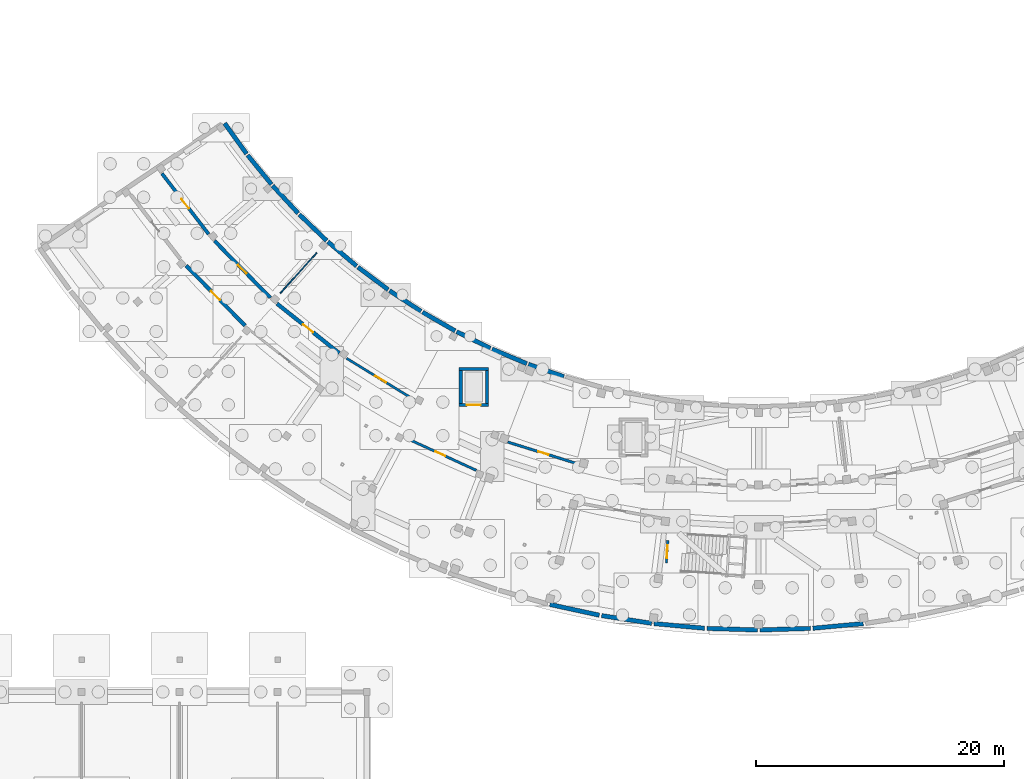
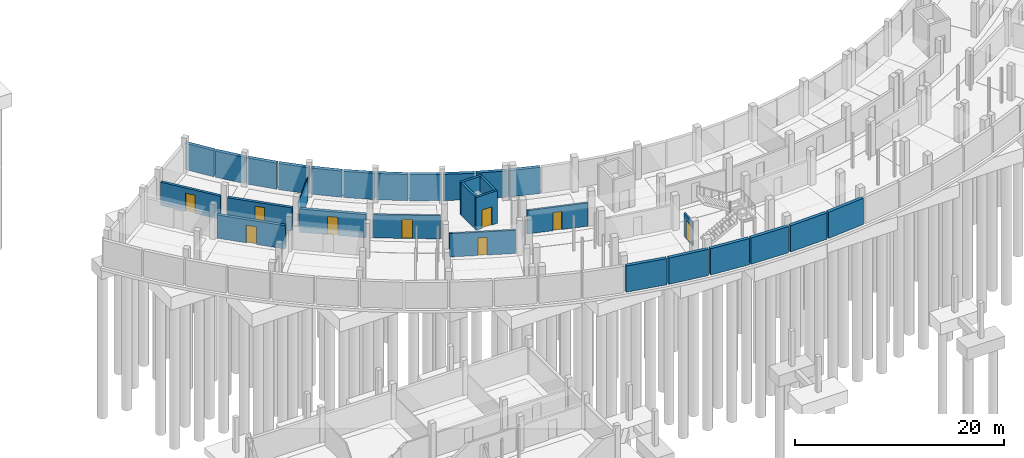
# One storey, part 40 of 58: 30 walls, 9 doors, 9 openings.
"""IFC4 building model written with IfcOpenShell, lengths in metres."""

from ifc_helpers import new_model, si_unit, direction, frame, frame_2d, origin, place, context, subcontext, project, spatial, rectangle, extrude, material, layer, layer_set, type_object, element, fill, save


model = new_model("IFC4")

# Units and contexts
model_context = context("Model", 3, precision=1e-05, world=origin(), true_north=direction((0.0, 1.0)))
body_context = subcontext(model_context, "Body", "Model", "MODEL_VIEW")
ifc_project = project(units=[si_unit("LENGTHUNIT", "METRE"), si_unit("AREAUNIT", "SQUARE_METRE"), si_unit("VOLUMEUNIT", "CUBIC_METRE"), si_unit("PLANEANGLEUNIT", "RADIAN"), si_unit("MASSUNIT", "GRAM", prefix="KILO")], contexts=[model_context])

# Site, building, storey
site_placement = place(None, origin())
site = spatial("IfcSite", under=ifc_project, at=site_placement, CompositionType="ELEMENT")
building_placement = place(site_placement, origin())
building = spatial("IfcBuilding", under=site, at=building_placement, Name="Caldaven Crescent School", CompositionType="ELEMENT")
storey_placement = place(building_placement, frame((0.0, 0.0, -4.080078125)))
storey = spatial("IfcBuildingStorey", under=building, at=storey_placement, Name="B1", CompositionType="ELEMENT", Elevation=-4.080078125)

# Wall
ifc_material_1 = material(Name="Concrete C35/45", Category="concrete")
ifc_layer_1 = layer(ifc_material_1, 0.300048828125)
ifc_layer_set_1 = layer_set([ifc_layer_1], Name="Concrete C35/45")
wall_type_1 = type_object("IfcWallType", Name="WAL-CW1", PredefinedType="SHEAR", material=ifc_layer_set_1)
wall_1_placement = place(storey_placement, frame((63.85107421875, 47.0380859375, 0.0), z_axis=(0.0, 0.0, 1.0), x_axis=(1.0, 0.0, 0.0)))
element("IfcWall", 1, at=wall_1_placement, inside=storey, type_object=wall_type_1, Name="CW-LF4-B1-N", PredefinedType="SHEAR", context=body_context, shape_type="SweptSolid", body=[
    extrude(rectangle(XDim=2.349853515625, YDim=0.25, at=frame_2d((1.1748046875, 0.0))), origin(), (0.0, 0.0, 1.0), 3.820068359375),
])

# Wall, opening, door
wall_2_placement = place(storey_placement, frame((63.85107421875, 44.13818359375, 0.0), z_axis=(0.0, 0.0, 1.0), x_axis=(1.0, 0.0, 0.0)))
wall_2 = element("IfcWall", 2, at=wall_2_placement, inside=storey, type_object=wall_type_1, Name="CW-LF4-B1-S", PredefinedType="SHEAR", context=body_context, shape_type="SweptSolid", body=[
    extrude(rectangle(XDim=2.349853515625, YDim=0.25, at=frame_2d((1.1748046875, 0.0))), origin(), (0.0, 0.0, 1.0), 3.820068359375),
])
opening_1_placement = place(wall_2_placement, frame((0.625, 0.0, 0.0)))
opening_1 = element("IfcOpeningElement", 3, at=opening_1_placement, cuts=wall_2, Name="Opening LD-LF4-B1", PredefinedType="OPENING", context=body_context, shape_type="SweptSolid", body=[
    extrude(rectangle(XDim=1.10009765625, YDim=2.14990234375, at=frame_2d((0.550048828125, 1.074951171875))), frame((0.0, 0.135009765625, 0.0), z_axis=(0.0, -1.0, 0.0), x_axis=(1.0, 0.0, 0.0)), (0.0, 0.0, 1.0), 0.27001953125),
])
ifc_material_2 = material(Name="Brushed stainless-steel automatic telescopic landing door", Category="steel")
door_type_1 = type_object("IfcDoorType", Name="DOR-LD01", OperationType="DOUBLE_DOOR_SLIDING", PredefinedType="DOOR", material=ifc_material_2)
door_1_placement = place(opening_1_placement, origin())
door_1 = element("IfcDoor", 4, at=door_1_placement, inside=storey, type_object=door_type_1, Name="DOR-LD-LF4-B1", OperationType="DOUBLE_DOOR_SLIDING", OverallHeight=2.14990234375, OverallWidth=1.10009765625, PredefinedType="DOOR", context=body_context, shape_type="SweptSolid", body=[
    extrude(rectangle(XDim=1.10009765625, YDim=2.14990234375, at=frame_2d((0.550048828125, 1.074951171875))), frame((0.0, 0.02490234375, 0.0), z_axis=(0.0, -1.0, 0.0), x_axis=(1.0, 0.0, 0.0)), (0.0, 0.0, 1.0), 0.050048828125),
])
fill(opening_1, door_1)

# Walls
ifc_layer_2 = layer(ifc_material_1, 0.25)
ifc_layer_set_2 = layer_set([ifc_layer_2], Name="Concrete C35/45")
wall_type_2 = type_object("IfcWallType", Name="WAL-CW2", PredefinedType="SHEAR", material=ifc_layer_set_2)
for number, where, z_axis, x_axis, name in (
    (5, (63.97607421875, 44.26318359375, 0.0), (0.0, 0.0, 1.0), (0.0, 1.0, 0.0), "CW-LF4-B1-W"),
    (6, (66.075927734375, 44.26318359375, 0.0), (0.0, 0.0, 1.0), (0.0, 1.0, 0.0), "CW-LF4-B1-E"),
):
    element("IfcWall", number, at=place(storey_placement, frame(where, z_axis=z_axis, x_axis=x_axis)), inside=storey, type_object=wall_type_2, Name=name, PredefinedType="SHEAR", context=body_context, shape_type="SweptSolid", body=[
        extrude(rectangle(XDim=2.64990234375, YDim=0.25, at=frame_2d((1.324951171875, 0.0))), origin(), (0.0, 0.0, 1.0), 3.820068359375),
    ])

# Wall, opening, door
ifc_material_3 = material(Name="Acoustic timber-stud and fire-rated gypsum board assembly", Category="wood")
ifc_layer_3 = layer(ifc_material_3, 0.179931640625)
ifc_layer_set_3 = layer_set([ifc_layer_3], Name="Acoustic timber-stud and fire-rated gypsum board assembly")
wall_type_3 = type_object("IfcWallType", Name="WAL-IW03", PredefinedType="STANDARD", material=ifc_layer_set_3)
wall_3_placement = place(storey_placement, frame((80.56201171875, 31.3935546875, 0.0), z_axis=(0.0, 0.0, 1.0), x_axis=(0.06103183268, 0.998135820117, 0.0)))
wall_3 = element("IfcWall", 7, at=wall_3_placement, inside=storey, type_object=wall_type_3, Name="IW-ST-STB3-B1", PredefinedType="STANDARD", context=body_context, shape_type="SweptSolid", body=[
    extrude(rectangle(XDim=1.840087890625, YDim=0.179931640625, at=frame_2d((0.919921875, 0.0))), origin(), (0.0, 0.0, 1.0), 2.719970703125),
])
opening_2_placement = place(wall_3_placement, frame((0.409912109375, 0.0, 0.0)))
opening_2 = element("IfcOpeningElement", 8, at=opening_2_placement, cuts=wall_3, Name="Opening FD-STB3-B1", PredefinedType="OPENING", context=body_context, shape_type="SweptSolid", body=[
    extrude(rectangle(XDim=1.02001953125, YDim=2.159912109375, at=frame_2d((0.510009765625, 1.080078125))), frame((0.0, 0.099853515625, 0.0), z_axis=(0.0, -1.0, 0.0), x_axis=(1.0, 0.0, 0.0)), (0.0, 0.0, 1.0), 0.199951171875),
])
ifc_material_4 = material(Name="Acoustic fire-rated steel-framed hardwood leaf", Category="steel")
door_type_2 = type_object("IfcDoorType", Name="DOR-FD03", OperationType="NOTDEFINED", PredefinedType="DOOR", material=ifc_material_4)
door_2_placement = place(opening_2_placement, frame((1.02001953125, 0.0, 0.0), z_axis=(0.0, 0.0, 1.0), x_axis=(-1.0, 0.0, 0.0)))
door_2 = element("IfcDoor", 9, at=door_2_placement, inside=storey, type_object=door_type_2, Name="DOR-ST-STB3-B1", OperationType="SINGLE_SWING_RIGHT", OverallHeight=2.159912109375, OverallWidth=1.02001953125, PredefinedType="DOOR", context=body_context, shape_type="SweptSolid", body=[
    extrude(rectangle(XDim=1.02001953125, YDim=2.159912109375, at=frame_2d((0.510009765625, 1.080078125))), frame((0.0, 0.02490234375, 0.0), z_axis=(0.0, -1.0, 0.0), x_axis=(1.0, 0.0, 0.0)), (0.0, 0.0, 1.0), 0.050048828125),
])
fill(opening_2, door_2)

ifc_layer_4 = layer(ifc_material_3, 0.18994140625)
ifc_layer_set_4 = layer_set([ifc_layer_4], Name="Acoustic timber-stud and fire-rated gypsum board assembly")
wall_type_4 = type_object("IfcWallType", Name="WAL-IW04", PredefinedType="STANDARD", material=ifc_layer_set_4)
wall_4_placement = place(storey_placement, frame((54.76416015625, 47.907958984375, 0.0), z_axis=(0.0, 0.0, 1.0), x_axis=(0.852626937867, -0.522520147767, 0.0)))
wall_4 = element("IfcWall", 10, at=wall_4_placement, inside=storey, type_object=wall_type_4, Name="IW-B1-0147", PredefinedType="STANDARD", context=body_context, shape_type="SweptSolid", body=[
    extrude(rectangle(XDim=6.42041015625, YDim=0.18994140625, at=frame_2d((3.210205078125, 0.0))), origin(), (0.0, 0.0, 1.0), 2.719970703125),
])
opening_3_placement = place(wall_4_placement, frame((2.7001953125, 0.0, 0.0)))
opening_3 = element("IfcOpeningElement", 11, at=opening_3_placement, cuts=wall_4, Name="Opening D-B1-I099", PredefinedType="OPENING", context=body_context, shape_type="SweptSolid", body=[
    extrude(rectangle(XDim=1.02001953125, YDim=2.239990234375, at=frame_2d((0.510009765625, 1.1201171875))), frame((0.0, 0.10498046875, 0.0), z_axis=(0.0, -1.0, 0.0), x_axis=(1.0, 0.0, 0.0)), (0.0, 0.0, 1.0), 0.2099609375),
])
ifc_material_5 = material(Name="Solid-core Pino Radiata acoustic timber leaf in steel frame", Category="steel")
door_type_3 = type_object("IfcDoorType", Name="DOR-ID20", OperationType="NOTDEFINED", PredefinedType="DOOR", material=ifc_material_5)
door_3_placement = place(opening_3_placement, frame((1.02001953125, 0.0, 0.0), z_axis=(0.0, 0.0, 1.0), x_axis=(-1.0, 0.0, 0.0)))
door_3 = element("IfcDoor", 12, at=door_3_placement, inside=storey, type_object=door_type_3, Name="DOR-INT-B1-0099", OperationType="SINGLE_SWING_RIGHT", OverallHeight=2.239990234375, OverallWidth=1.02001953125, PredefinedType="DOOR", context=body_context, shape_type="SweptSolid", body=[
    extrude(rectangle(XDim=1.02001953125, YDim=2.239990234375, at=frame_2d((0.510009765625, 1.1201171875))), frame((0.0, 0.02490234375, 0.0), z_axis=(0.0, -1.0, 0.0), x_axis=(1.0, 0.0, 0.0)), (0.0, 0.0, 1.0), 0.050048828125),
])
fill(opening_3, door_3)

ifc_layer_5 = layer(ifc_material_3, 0.199951171875)
ifc_layer_set_5 = layer_set([ifc_layer_5], Name="Acoustic timber-stud and fire-rated gypsum board assembly")
wall_type_5 = type_object("IfcWallType", Name="WAL-IW05", PredefinedType="STANDARD", material=ifc_layer_set_5)
wall_5_placement = place(storey_placement, frame((59.445068359375, 41.53076171875, 0.0), z_axis=(0.0, 0.0, 1.0), x_axis=(0.908519558618, -0.417842328647, 0.0)))
wall_5 = element("IfcWall", 13, at=wall_5_placement, inside=storey, type_object=wall_type_5, Name="IW-B1-0148", PredefinedType="STANDARD", context=body_context, shape_type="SweptSolid", body=[
    extrude(rectangle(XDim=6.36865234375, YDim=0.199951171875, at=frame_2d((3.184326171875, 0.0))), origin(), (0.0, 0.0, 1.0), 2.719970703125),
])
opening_4_placement = place(wall_5_placement, frame((2.75439453125, 0.0, 0.0)))
opening_4 = element("IfcOpeningElement", 14, at=opening_4_placement, cuts=wall_5, Name="Opening D-B1-I100", PredefinedType="OPENING", context=body_context, shape_type="SweptSolid", body=[
    extrude(rectangle(XDim=0.860107421875, YDim=2.06005859375, at=frame_2d((0.43017578125, 1.030029296875))), frame((0.0, 0.10986328125, 0.0), z_axis=(0.0, -1.0, 0.0), x_axis=(1.0, 0.0, 0.0)), (0.0, 0.0, 1.0), 0.219970703125),
])
door_type_4 = type_object("IfcDoorType", Name="DOR-ID01", OperationType="NOTDEFINED", PredefinedType="DOOR", material=ifc_material_5)
door_4_placement = place(opening_4_placement, origin())
door_4 = element("IfcDoor", 15, at=door_4_placement, inside=storey, type_object=door_type_4, Name="DOR-INT-B1-0100", OperationType="SINGLE_SWING_LEFT", OverallHeight=2.06005859375, OverallWidth=0.860107421875, PredefinedType="DOOR", context=body_context, shape_type="SweptSolid", body=[
    extrude(rectangle(XDim=0.860107421875, YDim=2.06005859375, at=frame_2d((0.43017578125, 1.030029296875))), frame((0.0, 0.02490234375, 0.0), z_axis=(0.0, -1.0, 0.0), x_axis=(1.0, 0.0, 0.0)), (0.0, 0.0, 1.0), 0.050048828125),
])
fill(opening_4, door_4)

ifc_layer_6 = layer(ifc_material_3, 0.2099609375)
ifc_layer_set_6 = layer_set([ifc_layer_6], Name="Acoustic timber-stud and fire-rated gypsum board assembly")
wall_type_6 = type_object("IfcWallType", Name="WAL-IW06", PredefinedType="STANDARD", material=ifc_layer_set_6)
wall_6_placement = place(storey_placement, frame((67.7626953125, 41.154052734375, 0.0), z_axis=(0.0, 0.0, 1.0), x_axis=(0.954756741519, -0.297387902451, 0.0)))
wall_6 = element("IfcWall", 16, at=wall_6_placement, inside=storey, type_object=wall_type_6, Name="IW-B1-0149", PredefinedType="STANDARD", context=body_context, shape_type="SweptSolid", body=[
    extrude(rectangle(XDim=6.018310546875, YDim=0.2099609375, at=frame_2d((3.00927734375, 0.0))), origin(), (0.0, 0.0, 1.0), 2.719970703125),
])
opening_5_placement = place(wall_6_placement, frame((2.5791015625, 0.0, 0.0)))
opening_5 = element("IfcOpeningElement", 17, at=opening_5_placement, cuts=wall_6, Name="Opening D-B1-I101", PredefinedType="OPENING", context=body_context, shape_type="SweptSolid", body=[
    extrude(rectangle(XDim=0.860107421875, YDim=2.1201171875, at=frame_2d((0.43017578125, 1.06005859375))), frame((0.0, 0.114990234375, 0.0), z_axis=(0.0, -1.0, 0.0), x_axis=(1.0, 0.0, 0.0)), (0.0, 0.0, 1.0), 0.22998046875),
])
door_type_5 = type_object("IfcDoorType", Name="DOR-ID02", OperationType="NOTDEFINED", PredefinedType="DOOR", material=ifc_material_5)
door_5_placement = place(opening_5_placement, frame((0.860107421875, 0.0, 0.0), z_axis=(0.0, 0.0, 1.0), x_axis=(-1.0, 0.0, 0.0)))
door_5 = element("IfcDoor", 18, at=door_5_placement, inside=storey, type_object=door_type_5, Name="DOR-INT-B1-0101", OperationType="SINGLE_SWING_RIGHT", OverallHeight=2.1201171875, OverallWidth=0.860107421875, PredefinedType="DOOR", context=body_context, shape_type="SweptSolid", body=[
    extrude(rectangle(XDim=0.860107421875, YDim=2.1201171875, at=frame_2d((0.43017578125, 1.06005859375))), frame((0.0, 0.02490234375, 0.0), z_axis=(0.0, -1.0, 0.0), x_axis=(1.0, 0.0, 0.0)), (0.0, 0.0, 1.0), 0.050048828125),
])
fill(opening_5, door_5)

ifc_material_6 = material(Name="Autoclaved aerated concrete block masonry G5", Category="masonry")
ifc_layer_7 = layer(ifc_material_6, 0.27001953125)
ifc_layer_set_7 = layer_set([ifc_layer_7], Name="Autoclaved aerated concrete block masonry G5")
wall_type_7 = type_object("IfcWallType", Name="WAL-IW12", PredefinedType="STANDARD", material=ifc_layer_set_7)
wall_7_placement = place(storey_placement, frame((39.8720703125, 62.81494140625, 0.0), z_axis=(0.0, 0.0, 1.0), x_axis=(0.610376740954, -0.79211125109, 0.0)))
wall_7 = element("IfcWall", 19, at=wall_7_placement, inside=storey, type_object=wall_type_7, Name="IW-B1-0139", PredefinedType="STANDARD", context=body_context, shape_type="SweptSolid", body=[
    extrude(rectangle(XDim=6.180908203125, YDim=0.27001953125, at=frame_2d((3.09033203125, 0.0))), origin(), (0.0, 0.0, 1.0), 2.719970703125),
])
opening_6_placement = place(wall_7_placement, frame((2.6005859375, 0.0, 0.0)))
opening_6 = element("IfcOpeningElement", 20, at=opening_6_placement, cuts=wall_7, Name="Opening D-B1-I093", PredefinedType="OPENING", context=body_context, shape_type="SweptSolid", body=[
    extrude(rectangle(XDim=0.97998046875, YDim=2.1201171875, at=frame_2d((0.489990234375, 1.06005859375))), frame((0.0, 0.14501953125, 0.0), z_axis=(0.0, -1.0, 0.0), x_axis=(1.0, 0.0, 0.0)), (0.0, 0.0, 1.0), 0.2900390625),
])
door_type_6 = type_object("IfcDoorType", Name="DOR-ID14", OperationType="NOTDEFINED", PredefinedType="DOOR", material=ifc_material_5)
door_6_placement = place(opening_6_placement, frame((0.97998046875, 0.0, 0.0), z_axis=(0.0, 0.0, 1.0), x_axis=(-1.0, 0.0, 0.0)))
door_6 = element("IfcDoor", 21, at=door_6_placement, inside=storey, type_object=door_type_6, Name="DOR-INT-B1-0093", OperationType="SINGLE_SWING_RIGHT", OverallHeight=2.1201171875, OverallWidth=0.97998046875, PredefinedType="DOOR", context=body_context, shape_type="SweptSolid", body=[
    extrude(rectangle(XDim=0.97998046875, YDim=2.1201171875, at=frame_2d((0.489990234375, 1.06005859375))), frame((0.0, 0.02490234375, 0.0), z_axis=(0.0, -1.0, 0.0), x_axis=(1.0, 0.0, 0.0)), (0.0, 0.0, 1.0), 0.050048828125),
])
fill(opening_6, door_6)

ifc_layer_8 = layer(ifc_material_6, 0.2900390625)
ifc_layer_set_8 = layer_set([ifc_layer_8], Name="Autoclaved aerated concrete block masonry G5")
wall_type_8 = type_object("IfcWallType", Name="WAL-IW14", PredefinedType="STANDARD", material=ifc_layer_set_8)
wall_8_placement = place(storey_placement, frame((44.116943359375, 57.376953125, 0.0), z_axis=(0.0, 0.0, 1.0), x_axis=(0.700900509406, -0.713259052459, 0.0)))
wall_8 = element("IfcWall", 22, at=wall_8_placement, inside=storey, type_object=wall_type_8, Name="IW-B1-0141", PredefinedType="STANDARD", context=body_context, shape_type="SweptSolid", body=[
    extrude(rectangle(XDim=6.42041015625, YDim=0.2900390625, at=frame_2d((3.210205078125, 0.0))), origin(), (0.0, 0.0, 1.0), 2.719970703125),
])
opening_7_placement = place(wall_8_placement, frame((2.72021484375, 0.0, 0.0)))
opening_7 = element("IfcOpeningElement", 23, at=opening_7_placement, cuts=wall_8, Name="Opening D-B1-I095", PredefinedType="OPENING", context=body_context, shape_type="SweptSolid", body=[
    extrude(rectangle(XDim=0.97998046875, YDim=2.239990234375, at=frame_2d((0.489990234375, 1.1201171875))), frame((0.0, 0.155029296875, 0.0), z_axis=(0.0, -1.0, 0.0), x_axis=(1.0, 0.0, 0.0)), (0.0, 0.0, 1.0), 0.31005859375),
])
door_type_7 = type_object("IfcDoorType", Name="DOR-ID16", OperationType="NOTDEFINED", PredefinedType="DOOR", material=ifc_material_5)
door_7_placement = place(opening_7_placement, frame((0.97998046875, 0.0, 0.0), z_axis=(0.0, 0.0, 1.0), x_axis=(-1.0, 0.0, 0.0)))
door_7 = element("IfcDoor", 24, at=door_7_placement, inside=storey, type_object=door_type_7, Name="DOR-INT-B1-0095", OperationType="SINGLE_SWING_RIGHT", OverallHeight=2.239990234375, OverallWidth=0.97998046875, PredefinedType="DOOR", context=body_context, shape_type="SweptSolid", body=[
    extrude(rectangle(XDim=0.97998046875, YDim=2.239990234375, at=frame_2d((0.489990234375, 1.1201171875))), frame((0.0, 0.02490234375, 0.0), z_axis=(0.0, -1.0, 0.0), x_axis=(1.0, 0.0, 0.0)), (0.0, 0.0, 1.0), 0.050048828125),
])
fill(opening_7, door_7)

ifc_layer_9 = layer(ifc_material_6, 0.300048828125)
ifc_layer_set_9 = layer_set([ifc_layer_9], Name="Autoclaved aerated concrete block masonry G5")
wall_type_9 = type_object("IfcWallType", Name="WAL-IW15", PredefinedType="STANDARD", material=ifc_layer_set_9)
wall_9_placement = place(storey_placement, frame((41.822509765625, 55.382568359375, 0.0), z_axis=(0.0, 0.0, 1.0), x_axis=(0.700914816473, -0.713244993006, 0.0)))
wall_9 = element("IfcWall", 25, at=wall_9_placement, inside=storey, type_object=wall_type_9, Name="IW-B1-0142", PredefinedType="STANDARD", context=body_context, shape_type="SweptSolid", body=[
    extrude(rectangle(XDim=6.79150390625, YDim=0.300048828125, at=frame_2d((3.395751953125, 0.0))), origin(), (0.0, 0.0, 1.0), 2.719970703125),
])
opening_8_placement = place(wall_9_placement, frame((2.8857421875, 0.0, 0.0)))
opening_8 = element("IfcOpeningElement", 26, at=opening_8_placement, cuts=wall_9, Name="Opening D-B1-I096", PredefinedType="OPENING", context=body_context, shape_type="SweptSolid", body=[
    extrude(rectangle(XDim=1.02001953125, YDim=2.06005859375, at=frame_2d((0.510009765625, 1.030029296875))), frame((0.0, 0.159912109375, 0.0), z_axis=(0.0, -1.0, 0.0), x_axis=(1.0, 0.0, 0.0)), (0.0, 0.0, 1.0), 0.320068359375),
])
door_type_8 = type_object("IfcDoorType", Name="DOR-ID17", OperationType="NOTDEFINED", PredefinedType="DOOR", material=ifc_material_5)
door_8_placement = place(opening_8_placement, origin())
door_8 = element("IfcDoor", 27, at=door_8_placement, inside=storey, type_object=door_type_8, Name="DOR-INT-B1-0096", OperationType="SINGLE_SWING_LEFT", OverallHeight=2.06005859375, OverallWidth=1.02001953125, PredefinedType="DOOR", context=body_context, shape_type="SweptSolid", body=[
    extrude(rectangle(XDim=1.02001953125, YDim=2.06005859375, at=frame_2d((0.510009765625, 1.030029296875))), frame((0.0, 0.02490234375, 0.0), z_axis=(0.0, -1.0, 0.0), x_axis=(1.0, 0.0, 0.0)), (0.0, 0.0, 1.0), 0.050048828125),
])
fill(opening_8, door_8)

ifc_layer_10 = layer(ifc_material_6, 0.31005859375)
ifc_layer_set_10 = layer_set([ifc_layer_10], Name="Autoclaved aerated concrete block masonry G5")
wall_type_10 = type_object("IfcWallType", Name="WAL-IW16", PredefinedType="STANDARD", material=ifc_layer_set_10)
wall_10_placement = place(storey_placement, frame((49.15087890625, 52.31689453125, 0.0), z_axis=(0.0, 0.0, 1.0), x_axis=(0.782605685559, -0.622517743467, 0.0)))
wall_10 = element("IfcWall", 28, at=wall_10_placement, inside=storey, type_object=wall_type_10, Name="IW-B1-0143", PredefinedType="STANDARD", context=body_context, shape_type="SweptSolid", body=[
    extrude(rectangle(XDim=6.42041015625, YDim=0.31005859375, at=frame_2d((3.210205078125, 0.0))), origin(), (0.0, 0.0, 1.0), 2.719970703125),
])
opening_9_placement = place(wall_10_placement, frame((2.7001953125, 0.0, 0.0)))
opening_9 = element("IfcOpeningElement", 29, at=opening_9_placement, cuts=wall_10, Name="Opening D-B1-I097", PredefinedType="OPENING", context=body_context, shape_type="SweptSolid", body=[
    extrude(rectangle(XDim=1.02001953125, YDim=2.1201171875, at=frame_2d((0.510009765625, 1.06005859375))), frame((0.0, 0.1650390625, 0.0), z_axis=(0.0, -1.0, 0.0), x_axis=(1.0, 0.0, 0.0)), (0.0, 0.0, 1.0), 0.330078125),
])
door_type_9 = type_object("IfcDoorType", Name="DOR-ID18", OperationType="NOTDEFINED", PredefinedType="DOOR", material=ifc_material_5)
door_9_placement = place(opening_9_placement, frame((1.02001953125, 0.0, 0.0), z_axis=(0.0, 0.0, 1.0), x_axis=(-1.0, 0.0, 0.0)))
door_9 = element("IfcDoor", 30, at=door_9_placement, inside=storey, type_object=door_type_9, Name="DOR-INT-B1-0097", OperationType="SINGLE_SWING_RIGHT", OverallHeight=2.1201171875, OverallWidth=1.02001953125, PredefinedType="DOOR", context=body_context, shape_type="SweptSolid", body=[
    extrude(rectangle(XDim=1.02001953125, YDim=2.1201171875, at=frame_2d((0.510009765625, 1.06005859375))), frame((0.0, 0.02490234375, 0.0), z_axis=(0.0, -1.0, 0.0), x_axis=(1.0, 0.0, 0.0)), (0.0, 0.0, 1.0), 0.050048828125),
])
fill(opening_9, door_9)

# Walls
ifc_material_7 = material(Name="Acoustic double-layer gypsum partition on galvanised steel studs", Category="steel")
ifc_layer_11 = layer(ifc_material_7, 0.092041015625)
ifc_layer_set_11 = layer_set([ifc_layer_11], Name="Acoustic double-layer gypsum partition on galvanised steel studs")
wall_type_11 = type_object("IfcWallType", Name="WAL-PT02", PredefinedType="PARTITIONING", material=ifc_layer_set_11)
wall_11_placement = place(storey_placement, frame((52.368896484375, 56.427490234375, 0.0), z_axis=(0.0, 0.0, 1.0), x_axis=(-0.669157836149, -0.743120306761, 0.0)))
element("IfcWall", 31, at=wall_11_placement, inside=storey, type_object=wall_type_11, Name="IW-B1-0145", PredefinedType="PARTITIONING", context=body_context, shape_type="SweptSolid", body=[
    extrude(rectangle(XDim=4.400146484375, YDim=0.092041015625, at=frame_2d((2.2001953125, 0.0))), origin(), (0.0, 0.0, 1.0), 2.719970703125),
])
ifc_material_8 = material(Name="Concrete C30/37", Category="concrete")
ifc_layer_12 = layer(ifc_material_8, 0.35009765625)
ifc_layer_set_12 = layer_set([ifc_layer_12], Name="Concrete C30/37")
wall_type_12 = type_object("IfcWallType", Name="WAL-RW1", PredefinedType="USERDEFINED", material=ifc_layer_set_12)
wall_12_placement = place(storey_placement, frame((44.9306640625, 66.86181640625, 0.0), z_axis=(0.0, 0.0, 1.0), x_axis=(0.584251673289, -0.811572536659, 0.0)))
element("IfcWall", 32, at=wall_12_placement, inside=storey, type_object=wall_type_12, Name="RW-CRESC-IN-00", ObjectType="RETAININGWALL", PredefinedType="USERDEFINED", context=body_context, shape_type="SweptSolid", body=[
    extrude(rectangle(XDim=3.03076171875, YDim=0.35009765625, at=frame_2d((1.515380859375, 0.0))), origin(), (0.0, 0.0, 1.0), 3.065185546875),
])
wall_13_placement = place(storey_placement, frame((46.789794921875, 64.286865234375, 0.0), z_axis=(0.0, 0.0, 1.0), x_axis=(0.632706899842, -0.77439136029, 0.0)))
element("IfcWall", 33, at=wall_13_placement, inside=storey, type_object=wall_type_12, Name="RW-CRESC-IN-01", ObjectType="RETAININGWALL", PredefinedType="USERDEFINED", context=body_context, shape_type="SweptSolid", body=[
    extrude(rectangle(XDim=3.031005859375, YDim=0.35009765625, at=frame_2d((1.515625, 0.0))), origin(), (0.0, 0.0, 1.0), 3.065185546875),
])
wall_14_placement = place(storey_placement, frame((48.802734375, 61.830078125, 0.0), z_axis=(0.0, 0.0, 1.0), x_axis=(0.678811877156, -0.734312219313, 0.0)))
element("IfcWall", 34, at=wall_14_placement, inside=storey, type_object=wall_type_12, Name="RW-CRESC-IN-02", ObjectType="RETAININGWALL", PredefinedType="USERDEFINED", context=body_context, shape_type="SweptSolid", body=[
    extrude(rectangle(XDim=3.03076171875, YDim=0.35009765625, at=frame_2d((1.515380859375, 0.0))), origin(), (0.0, 0.0, 1.0), 3.065185546875),
])
wall_15_placement = place(storey_placement, frame((50.9619140625, 59.5009765625, 0.0), z_axis=(0.0, 0.0, 1.0), x_axis=(0.722363654033, -0.691513377551, 0.0)))
element("IfcWall", 35, at=wall_15_placement, inside=storey, type_object=wall_type_12, Name="RW-CRESC-IN-03", ObjectType="RETAININGWALL", PredefinedType="USERDEFINED", context=body_context, shape_type="SweptSolid", body=[
    extrude(rectangle(XDim=3.031005859375, YDim=0.35009765625, at=frame_2d((1.515625, 0.0))), origin(), (0.0, 0.0, 1.0), 3.065185546875),
])
for number, where, z_axis, x_axis, name in (
    (36, (53.25927734375, 57.307861328125, 0.0), (0.0, 0.0, 1.0), (0.763239603692, -0.646115552635, 0.0), "RW-CRESC-IN-04"),
    (37, (55.68603515625, 55.25927734375, 0.0), (0.0, 0.0, 1.0), (0.801245208732, -0.598336122496, 0.0), "RW-CRESC-IN-05"),
):
    element("IfcWall", number, at=place(storey_placement, frame(where, z_axis=z_axis, x_axis=x_axis)), inside=storey, type_object=wall_type_12, Name=name, ObjectType="RETAININGWALL", PredefinedType="USERDEFINED", context=body_context, shape_type="SweptSolid", body=[
        extrude(rectangle(XDim=3.03076171875, YDim=0.35009765625, at=frame_2d((1.515380859375, 0.0))), origin(), (0.0, 0.0, 1.0), 3.065185546875),
    ])
wall_16_placement = place(storey_placement, frame((58.233642578125, 53.362548828125, 0.0), z_axis=(0.0, 0.0, 1.0), x_axis=(0.836276459037, -0.548308019328, 0.0)))
element("IfcWall", 38, at=wall_16_placement, inside=storey, type_object=wall_type_12, Name="RW-CRESC-IN-06", ObjectType="RETAININGWALL", PredefinedType="USERDEFINED", context=body_context, shape_type="SweptSolid", body=[
    extrude(rectangle(XDim=3.031005859375, YDim=0.35009765625, at=frame_2d((1.515625, 0.0))), origin(), (0.0, 0.0, 1.0), 3.065185546875),
])
for number, where, z_axis, x_axis, name in (
    (39, (60.89208984375, 51.624755859375, 0.0), (0.0, 0.0, 1.0), (0.868203482341, -0.496208336539, 0.0), "RW-CRESC-IN-07"),
    (40, (63.651611328125, 50.052734375, 0.0), (0.0, 0.0, 1.0), (0.896862553837, -0.442309348223, 0.0), "RW-CRESC-IN-08"),
    (41, (66.501953125, 48.65185546875, 0.0), (0.0, 0.0, 1.0), (0.922228665852, -0.386644911878, 0.0), "RW-CRESC-IN-09"),
):
    element("IfcWall", number, at=place(storey_placement, frame(where, z_axis=z_axis, x_axis=x_axis)), inside=storey, type_object=wall_type_12, Name=name, ObjectType="RETAININGWALL", PredefinedType="USERDEFINED", context=body_context, shape_type="SweptSolid", body=[
        extrude(rectangle(XDim=3.03076171875, YDim=0.35009765625, at=frame_2d((1.515380859375, 0.0))), origin(), (0.0, 0.0, 1.0), 3.065185546875),
    ])
wall_17_placement = place(storey_placement, frame((69.4326171875, 47.427734375, 0.0), z_axis=(0.0, 0.0, 1.0), x_axis=(0.944118010469, -0.329607618705, 0.0)))
element("IfcWall", 42, at=wall_17_placement, inside=storey, type_object=wall_type_12, Name="RW-CRESC-IN-10", ObjectType="RETAININGWALL", PredefinedType="USERDEFINED", context=body_context, shape_type="SweptSolid", body=[
    extrude(rectangle(XDim=3.031005859375, YDim=0.35009765625, at=frame_2d((1.515625, 0.0))), origin(), (0.0, 0.0, 1.0), 3.065185546875),
])
wall_18_placement = place(storey_placement, frame((71.160400390625, 28.0556640625, 0.0), z_axis=(0.0, 0.0, 1.0), x_axis=(0.977228720232, -0.212188662173, 0.0)))
element("IfcWall", 43, at=wall_18_placement, inside=storey, type_object=wall_type_12, Name="RW-CRESC-OUT-12", ObjectType="RETAININGWALL", PredefinedType="USERDEFINED", context=body_context, shape_type="SweptSolid", body=[
    extrude(rectangle(XDim=4.080078125, YDim=0.35009765625, at=frame_2d((2.0400390625, 0.0))), origin(), (0.0, 0.0, 1.0), 3.065185546875),
])
wall_19_placement = place(storey_placement, frame((75.339599609375, 27.154296875, 0.0), z_axis=(0.0, 0.0, 1.0), x_axis=(0.988363394791, -0.152111143038, 0.0)))
element("IfcWall", 44, at=wall_19_placement, inside=storey, type_object=wall_type_12, Name="RW-CRESC-OUT-13", ObjectType="RETAININGWALL", PredefinedType="USERDEFINED", context=body_context, shape_type="SweptSolid", body=[
    extrude(rectangle(XDim=4.079833984375, YDim=0.35009765625, at=frame_2d((2.0400390625, 0.0))), origin(), (0.0, 0.0, 1.0), 3.065185546875),
])
for number, where, z_axis, x_axis, name in (
    (45, (79.566162109375, 26.510009765625, 0.0), (0.0, 0.0, 1.0), (0.995805936061, -0.091490642725, 0.0), "RW-CRESC-OUT-14"),
    (46, (83.82421875, 26.124755859375, 0.0), (0.0, 0.0, 1.0), (0.999532408992, -0.030577170797, 0.0), "RW-CRESC-OUT-15"),
    (47, (88.09765625, 26.0, 0.0), (0.0, 0.0, 1.0), (0.999532408992, 0.030577170797, 0.0), "RW-CRESC-OUT-16"),
    (48, (92.370849609375, 26.13671875, 0.0), (0.0, 0.0, 1.0), (0.995805936061, 0.091490642725, 0.0), "RW-CRESC-OUT-17"),
):
    element("IfcWall", number, at=place(storey_placement, frame(where, z_axis=z_axis, x_axis=x_axis)), inside=storey, type_object=wall_type_12, Name=name, ObjectType="RETAININGWALL", PredefinedType="USERDEFINED", context=body_context, shape_type="SweptSolid", body=[
        extrude(rectangle(XDim=4.080078125, YDim=0.35009765625, at=frame_2d((2.0400390625, 0.0))), origin(), (0.0, 0.0, 1.0), 3.065185546875),
    ])

save(model, "model.ifc")
